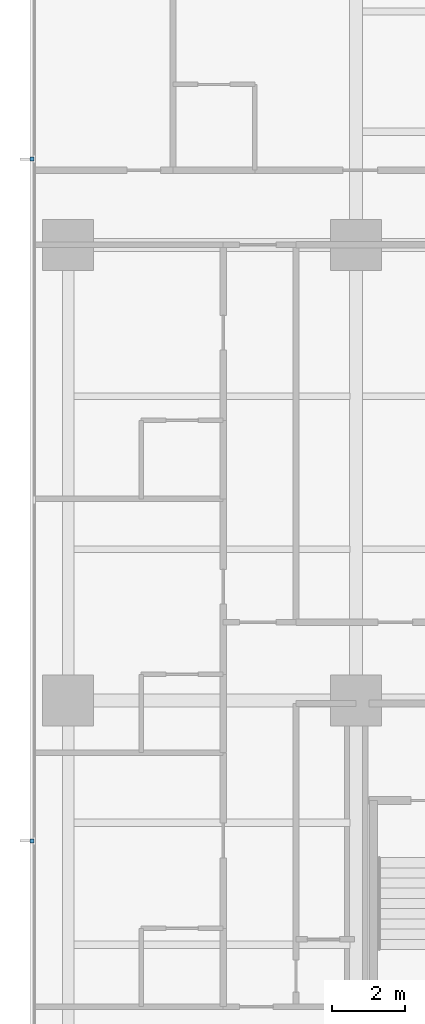
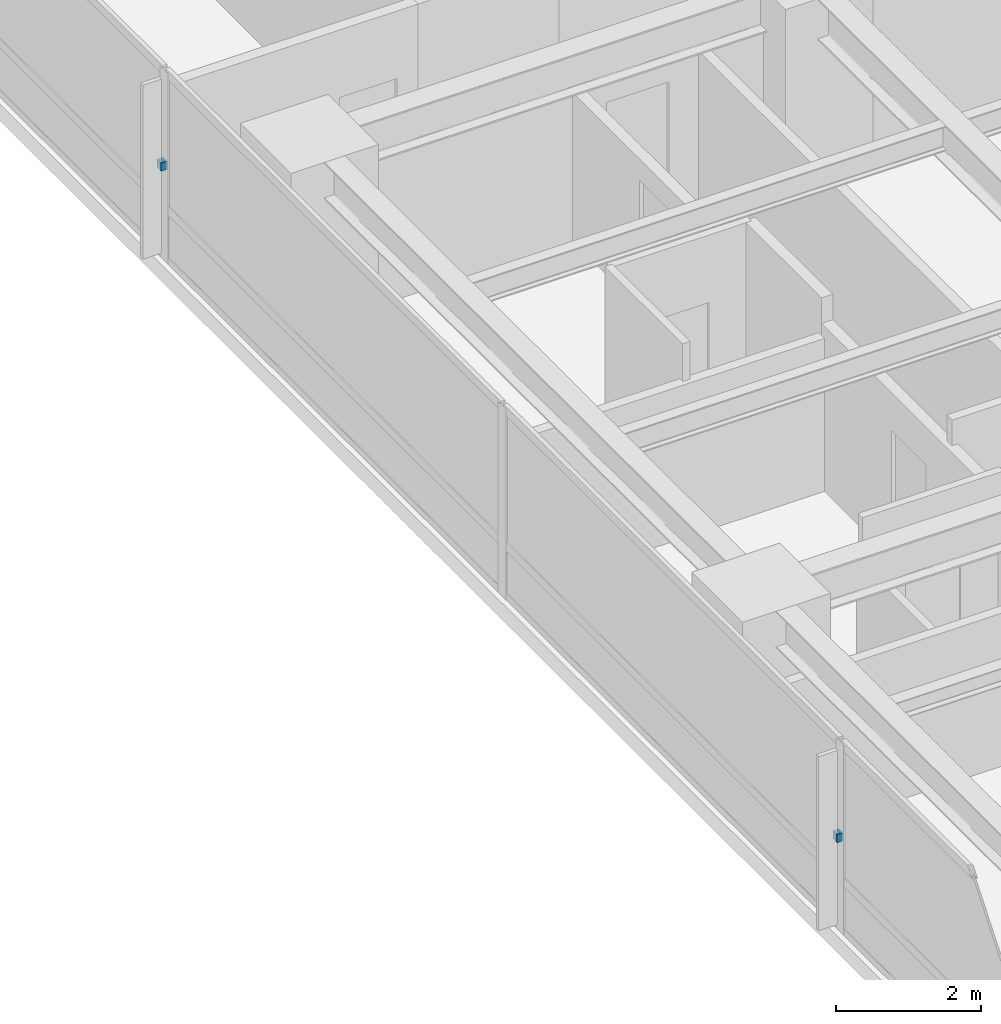
# One storey, part 12 of 17: 2 discrete accessories.
"""IFC4 building model written with IfcOpenShell, lengths in metres."""

from ifc_helpers import new_model, si_unit, direction, frame, origin, place, context, subcontext, project, spatial, polyline, outline, extrude, material, type_object, element, save


model = new_model("IFC4")

# Units and contexts
model_context = context("Model", 3, precision=1e-05, world=origin(), true_north=direction((0.0, 1.0)))
body_context = subcontext(model_context, "Body", "Model", "MODEL_VIEW")
ifc_project = project(units=[si_unit("LENGTHUNIT", "METRE"), si_unit("AREAUNIT", "SQUARE_METRE"), si_unit("VOLUMEUNIT", "CUBIC_METRE"), si_unit("PLANEANGLEUNIT", "RADIAN"), si_unit("MASSUNIT", "GRAM", prefix="KILO")], contexts=[model_context])

# Site, building, storey
site_placement = place(None, origin())
site = spatial("IfcSite", under=ifc_project, at=site_placement, CompositionType="ELEMENT")
building_placement = place(site_placement, origin())
building = spatial("IfcBuilding", under=site, at=building_placement, Name="Qalmaran Belvedere Hotel", CompositionType="ELEMENT")
storey_placement = place(building_placement, frame((0.0, 0.0, 68.39990234375)))
storey = spatial("IfcBuildingStorey", under=building, at=storey_placement, Name="L17", CompositionType="ELEMENT", Elevation=68.39990234375)

# Discrete accessories
ifc_material = material(Name="Stainless Steel 1.4401", Category="steel")
discrete_accessory_type = type_object("IfcDiscreteAccessoryType", Name="BRK-FIN-SS316", PredefinedType="BRACKET", material=ifc_material)
discrete_accessory_1_placement = place(storey_placement, frame((0.0, 0.0, 1.56005859375)))
element("IfcDiscreteAccessory", 1, at=discrete_accessory_1_placement, inside=storey, type_object=discrete_accessory_type, Name="L17 Fin Bracket 1", PredefinedType="BRACKET", context=body_context, shape_type="SweptSolid", body=[
    extrude(outline(polyline([(11.455078125, 35.405029296875), (11.357421875, 35.405029296875), (11.357421875, 35.294921875), (11.455078125, 35.294921875), (11.455078125, 35.405029296875)])), origin(), (0.0, 0.0, 1.0), 0.14013671875),
])
discrete_accessory_2_placement = place(storey_placement, frame((0.0, 0.0, 1.56005859375)))
element("IfcDiscreteAccessory", 2, at=discrete_accessory_2_placement, inside=storey, type_object=discrete_accessory_type, Name="L17 Fin Bracket 3", PredefinedType="BRACKET", context=body_context, shape_type="SweptSolid", body=[
    extrude(outline(polyline([(11.455078125, 16.705078125), (11.357421875, 16.705078125), (11.357421875, 16.594970703125), (11.455078125, 16.594970703125), (11.455078125, 16.705078125)])), origin(), (0.0, 0.0, 1.0), 0.14013671875),
])

save(model, "model.ifc")
